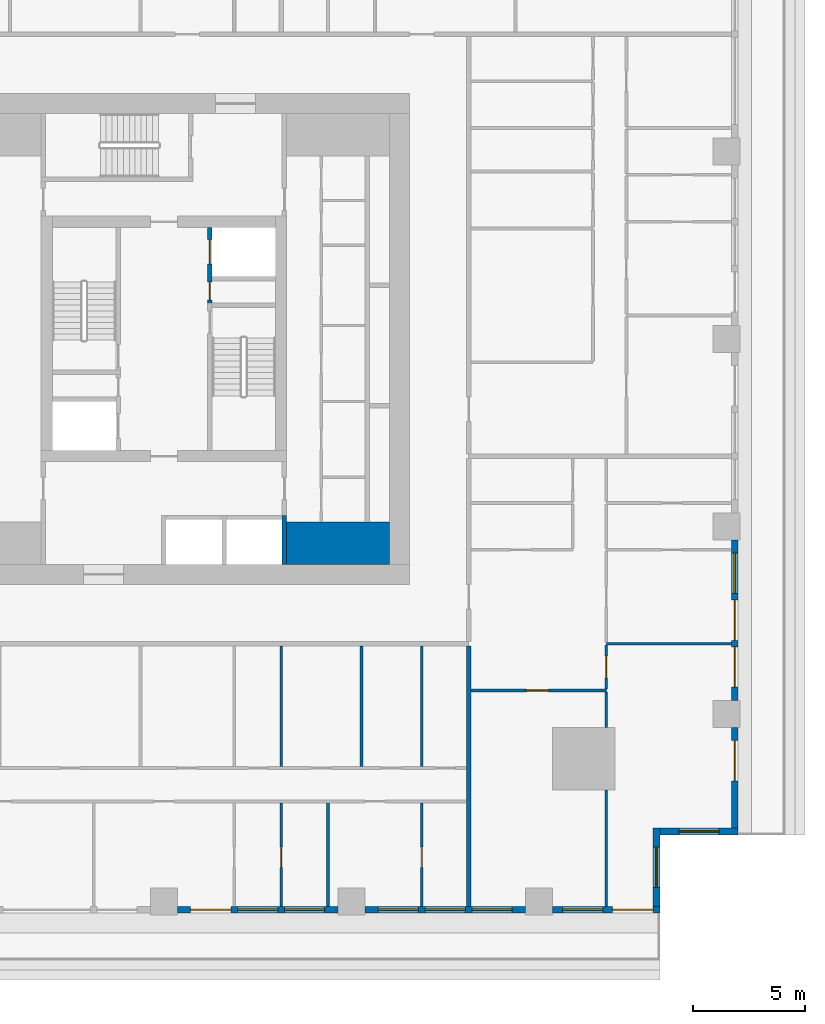
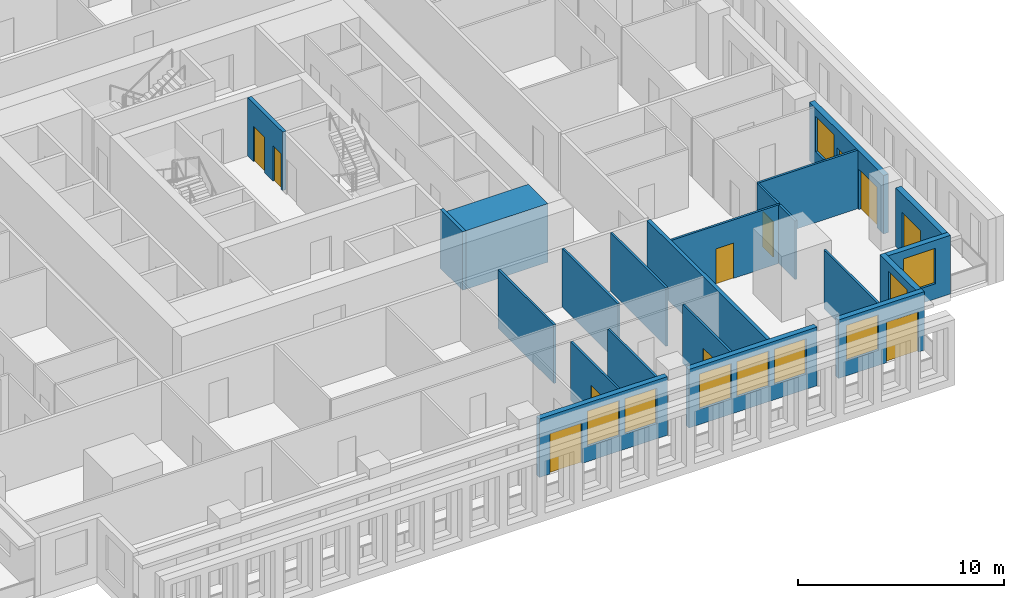
# One storey, part 4 of 14: 22 walls, 11 doors, 9 windows, 20 openings.
"""IFC4 building model written with IfcOpenShell, lengths in metres."""

import ifcopenshell
import ifcopenshell.guid

model = None  # the IFC model being written
_history = None  # IfcOwnerHistory: only IFC2X3 demands one
_inside = {}  # id of a spatial element -> (the spatial element, [elements in it])
_under = {}  # id of a project, library or spatial element -> (it, [spatial elements below it])
_declared = {}  # id of a project -> (the project, [libraries it declares])
_typed = {}  # id of a type object -> (the type object, [elements of that type])
_made_of = {}  # id of a material, layer set ... -> (it, [elements and type objects made of it])


def new_model(schema):
    """Start an empty IFC model of exactly this schema.

    Asked for "IFC4X3", IfcOpenShell would pick the latest addendum, in which some entities
    have other attributes; the version numbers below select the first issue.
    IFC2X3 requires an IfcOwnerHistory on every rooted entity: one is made here for all.
    """
    global model, _history
    if schema == "IFC4X3":
        model = ifcopenshell.file(schema_version=(4, 3, 0, 0))
    else:
        model = ifcopenshell.file(schema=schema)
    _inside.clear()
    _under.clear()
    _declared.clear()
    _typed.clear()
    _made_of.clear()
    _history = None
    if model.schema == "IFC2X3":
        org = make("IfcOrganization", Name="unknown")
        user = make(
            "IfcPersonAndOrganization",
            ThePerson=make("IfcPerson", FamilyName="unknown"),
            TheOrganization=org,
        )
        app = make(
            "IfcApplication",
            ApplicationDeveloper=org,
            Version="unknown",
            ApplicationFullName="unknown",
            ApplicationIdentifier="unknown",
        )
        _history = make(
            "IfcOwnerHistory",
            OwningUser=user,
            OwningApplication=app,
            ChangeAction="ADDED",
            CreationDate=0,
        )
    return model


def make(cls, **values):
    """One entity of the class cls with the attributes given. An attribute that is None is left unset."""
    return model.create_entity(
        cls, **{name: value for name, value in values.items() if value is not None}
    )


def rooted(cls, **values):
    """An entity with a GlobalId (a new one), such as an element, a storey or a relation."""
    return make(cls, GlobalId=ifcopenshell.guid.new(), OwnerHistory=_history, **values)


def si_unit(unit_type, name, prefix=None):
    """IfcSIUnit, for example si_unit("LENGTHUNIT", "METRE", prefix="MILLI")."""
    return make("IfcSIUnit", UnitType=unit_type, Prefix=prefix, Name=name)


def assignment(units):
    """IfcUnitAssignment: the units of a project."""
    return None if units is None else make("IfcUnitAssignment", Units=units)


def point(xyz):
    """IfcCartesianPoint."""
    return None if xyz is None else make("IfcCartesianPoint", Coordinates=xyz)


def direction(xyz):
    """IfcDirection."""
    return None if xyz is None else make("IfcDirection", DirectionRatios=xyz)


def frame(location, z_axis=None, x_axis=None):
    """IfcAxis2Placement3D, a coordinate frame: its origin and axes. An axis left out is left unset."""
    return make(
        "IfcAxis2Placement3D",
        Location=point(location),
        Axis=direction(z_axis),
        RefDirection=direction(x_axis),
    )


def frame_2d(location, x_axis=None):
    """IfcAxis2Placement2D, a coordinate frame in the plane: its origin and x axis."""
    return make(
        "IfcAxis2Placement2D", Location=point(location), RefDirection=direction(x_axis)
    )


def origin():
    """The frame at (0, 0, 0) with its axes left unset."""
    return frame((0.0, 0.0, 0.0))


def place(relative_to, where):
    """IfcLocalPlacement: puts the frame where relative to a parent placement (None: the world)."""
    return make(
        "IfcLocalPlacement", PlacementRelTo=relative_to, RelativePlacement=where
    )


def context(
    kind, dimensions, precision=None, world=None, true_north=None, identifier=None
):
    """IfcGeometricRepresentationContext, for example the 3D "Model" context."""
    return make(
        "IfcGeometricRepresentationContext",
        ContextIdentifier=identifier,
        ContextType=kind,
        CoordinateSpaceDimension=dimensions,
        Precision=precision,
        WorldCoordinateSystem=world,
        TrueNorth=true_north,
    )


def subcontext(parent, identifier, kind, view, scale=None):
    """IfcGeometricRepresentationSubContext, for example "Body" below "Model"."""
    return make(
        "IfcGeometricRepresentationSubContext",
        ContextIdentifier=identifier,
        ContextType=kind,
        ParentContext=parent,
        TargetScale=scale,
        TargetView=view,
    )


def project(units=None, contexts=None):
    """IfcProject with its units and contexts."""
    return rooted(
        "IfcProject",
        Name="project",
        RepresentationContexts=contexts,
        UnitsInContext=assignment(units),
    )


def spatial(cls, under=None, at=None, **own):
    """A site, building, storey or space (cls), placed at a placement, below another one or the project."""
    s = rooted(cls, ObjectPlacement=at, **own)
    if under is not None:
        _under.setdefault(under.id(), (under, []))[1].append(s)
    return s


def profile(cls, at=None, kind="AREA", **sizes):
    """A parametric profile (cls). Its sizes go by their IFC names, for example OverallWidth=200.0."""
    return make(cls, ProfileType=kind, Position=at, **sizes)


def rectangle(**sizes):
    """IfcRectangleProfileDef."""
    return profile("IfcRectangleProfileDef", **sizes)


def extrude(swept, where, along, depth):
    """IfcExtrudedAreaSolid: the profile swept, set in the frame where, extruded along a direction by depth."""
    return make(
        "IfcExtrudedAreaSolid",
        SweptArea=swept,
        Position=where,
        ExtrudedDirection=direction(along),
        Depth=depth,
    )


def shape(context_of_items, identifier, shape_type, items):
    """IfcShapeRepresentation: the items that make up one representation, for example the "Body"."""
    return make(
        "IfcShapeRepresentation",
        ContextOfItems=context_of_items,
        RepresentationIdentifier=identifier,
        RepresentationType=shape_type,
        Items=items,
    )


def material(Name=None, Category=None):
    """IfcMaterial."""
    return make("IfcMaterial", Name=Name, Category=Category)


def layer(
    of_material, thickness, ventilated=None, Name=None, Category=None, Priority=None
):
    """IfcMaterialLayer: one layer of a wall or slab, of a material (None: an air gap)."""
    return make(
        "IfcMaterialLayer",
        Material=of_material,
        LayerThickness=thickness,
        IsVentilated=ventilated,
        Name=Name,
        Category=Category,
        Priority=Priority,
    )


def layer_set(layers, Name=None):
    """IfcMaterialLayerSet."""
    return make("IfcMaterialLayerSet", MaterialLayers=layers, LayerSetName=Name)


def made_of(thing, what):
    """Note that an element or type object is made of a material, layer set ...; save() writes the relation."""
    if what is not None:
        _made_of.setdefault(what.id(), (what, []))[1].append(thing)
    return thing


def type_object(cls, material=None, **own):
    """A type object (cls), such as IfcWallType, which elements share."""
    return made_of(rooted(cls, **own), material)


def element(
    cls,
    number,
    at=None,
    inside=None,
    cuts=None,
    type_object=None,
    material=None,
    context=None,
    identifier="Body",
    shape_type=None,
    held_by="IfcProductDefinitionShape",
    body=None,
    shapes=None,
    **own,
):
    """One element of the class cls, such as IfcWall. Its Tag is "e" and its number.

    at: its placement. inside: the storey or other place that contains it. cuts: it is an
    opening in that element (IfcRelVoidsElement). A single representation is given by context,
    identifier, shape_type and body (its items); several are given by shapes. held_by: the class
    of the entity that holds the representations. save() writes the other relations.
    """
    e = rooted(cls, Tag="e%d" % number, ObjectPlacement=at, **own)
    if body is not None:
        shapes = [shape(context, identifier, shape_type, body)]
    if shapes is not None:
        e.Representation = make(held_by, Representations=shapes)
    if inside is not None:
        _inside.setdefault(inside.id(), (inside, []))[1].append(e)
    if cuts is not None:
        rooted(
            "IfcRelVoidsElement", RelatingBuildingElement=cuts, RelatedOpeningElement=e
        )
    if type_object is not None:
        _typed.setdefault(type_object.id(), (type_object, []))[1].append(e)
    return made_of(e, material)


def fill(opening, filler):
    """IfcRelFillsElement: the door or window that sits in an opening."""
    return rooted(
        "IfcRelFillsElement",
        RelatingOpeningElement=opening,
        RelatedBuildingElement=filler,
    )


def aggregate(whole, parts):
    """IfcRelAggregates: a whole, such as a stair, and the parts it consists of."""
    return rooted("IfcRelAggregates", RelatingObject=whole, RelatedObjects=parts)


def save(model, path):
    """Write the relations noted so far, then the file.

    IfcRelAggregates (storeys below a building ...), IfcRelContainedInSpatialStructure (elements
    in a storey), IfcRelDefinesByType, IfcRelAssociatesMaterial and IfcRelDeclares: one each for
    every whole, place, type object, material and project.
    """
    for whole, parts in _under.values():
        aggregate(whole, parts)
    for where, things in _inside.values():
        rooted(
            "IfcRelContainedInSpatialStructure",
            RelatedElements=things,
            RelatingStructure=where,
        )
    for kind, things in _typed.values():
        rooted("IfcRelDefinesByType", RelatedObjects=things, RelatingType=kind)
    for what, things in _made_of.values():
        rooted("IfcRelAssociatesMaterial", RelatedObjects=things, RelatingMaterial=what)
    for by, libraries in _declared.values():
        rooted("IfcRelDeclares", RelatingContext=by, RelatedDefinitions=libraries)
    model.write(path)


model = new_model("IFC4")

# Units and contexts
model_context = context("Model", 3, precision=1e-05, world=origin(), true_north=direction((0.0, 1.0)))
body_context = subcontext(model_context, "Body", "Model", "MODEL_VIEW")
ifc_project = project(units=[si_unit("LENGTHUNIT", "METRE"), si_unit("AREAUNIT", "SQUARE_METRE"), si_unit("VOLUMEUNIT", "CUBIC_METRE"), si_unit("PLANEANGLEUNIT", "RADIAN"), si_unit("MASSUNIT", "GRAM", prefix="KILO")], contexts=[model_context])

# Site, building, storey
site_placement = place(None, origin())
site = spatial("IfcSite", under=ifc_project, at=site_placement, CompositionType="ELEMENT")
building_placement = place(site_placement, origin())
building = spatial("IfcBuilding", under=site, at=building_placement, Name="Khepri Terraces", CompositionType="ELEMENT")
storey_placement = place(building_placement, frame((0.0, 0.0, 102.60009765625)))
storey = spatial("IfcBuildingStorey", under=building, at=storey_placement, Name="L24", CompositionType="ELEMENT", Elevation=102.60009765625)

# Walls
ifc_material_1 = material(Name="Concrete C70/85", Category="concrete")
ifc_layer_1 = layer(ifc_material_1, 1.89990234375, Name="Concrete C70/85", Category="concrete")
ifc_layer_set_1 = layer_set([ifc_layer_1], Name="Concrete C70/85")
wall_type_1 = type_object("IfcWallType", Name="Core wall 1900 C70/85", PredefinedType="SHEAR", material=ifc_layer_set_1)
wall_1_placement = place(storey_placement, frame((5.5, -9.14990234375, 0.0), z_axis=(0.0, 0.0, 1.0), x_axis=(1.0, 0.0, 0.0)))
element("IfcWall", 1, at=wall_1_placement, inside=storey, type_object=wall_type_1, Name="Core wall PR02 L24", PredefinedType="SHEAR", context=body_context, shape_type="SweptSolid", body=[
    extrude(rectangle(XDim=4.60009765625, YDim=1.89990234375, at=frame_2d((2.300048828125, 0.0))), origin(), (0.0, 0.0, 1.0), 3.47998046875),
])
ifc_layer_2 = layer(ifc_material_1, 0.199951171875, Name="Concrete C70/85", Category="concrete")
ifc_layer_set_2 = layer_set([ifc_layer_2], Name="Concrete C70/85")
wall_type_2 = type_object("IfcWallType", Name="Core wall 200 C70/85", PredefinedType="SHEAR", material=ifc_layer_set_2)
wall_2_placement = place(storey_placement, frame((5.39990234375, -10.10009765625, 0.0), z_axis=(0.0, 0.0, 1.0), x_axis=(0.0, 1.0, 0.0)))
element("IfcWall", 2, at=wall_2_placement, inside=storey, type_object=wall_type_2, Name="Core wall SH03 L24", PredefinedType="SHEAR", context=body_context, shape_type="SweptSolid", body=[
    extrude(rectangle(XDim=2.2001953125, YDim=0.199951171875, at=frame_2d((1.10009765625, 0.0))), origin(), (0.0, 0.0, 1.0), 3.47998046875),
])

# Wall, openings, doors
wall_3_placement = place(storey_placement, frame((2.050048828125, 1.60009765625, 0.0), z_axis=(0.0, 0.0, 1.0), x_axis=(0.0, 1.0, 0.0)))
wall_3 = element("IfcWall", 3, at=wall_3_placement, inside=storey, type_object=wall_type_2, Name="Core wall SH15 L24", PredefinedType="SHEAR", context=body_context, shape_type="SweptSolid", body=[
    extrude(rectangle(XDim=3.39990234375, YDim=0.199951171875, at=frame_2d((1.699951171875, 0.0))), origin(), (0.0, 0.0, 1.0), 3.47998046875),
])
opening_1_placement = place(wall_3_placement, frame((1.75, 0.0, 0.0)))
opening_1 = element("IfcOpeningElement", 4, at=opening_1_placement, cuts=wall_3, Name="Opening L24-C07", PredefinedType="OPENING", context=body_context, shape_type="SweptSolid", body=[
    extrude(rectangle(XDim=1.10009765625, YDim=2.10009765625, at=frame_2d((0.550048828125, 1.050048828125))), frame((0.0, 0.10986328125, 0.0), z_axis=(0.0, -1.0, 0.0), x_axis=(1.0, 0.0, 0.0)), (0.0, 0.0, 1.0), 0.219970703125),
])
opening_2_placement = place(wall_3_placement, frame((0.14990234375, 0.0, 0.0)))
opening_2 = element("IfcOpeningElement", 5, at=opening_2_placement, cuts=wall_3, Name="Opening L24-C11", PredefinedType="OPENING", context=body_context, shape_type="SweptSolid", body=[
    extrude(rectangle(XDim=0.800048828125, YDim=2.10009765625, at=frame_2d((0.39990234375, 1.050048828125))), frame((0.0, 0.10986328125, 0.0), z_axis=(0.0, -1.0, 0.0), x_axis=(1.0, 0.0, 0.0)), (0.0, 0.0, 1.0), 0.219970703125),
])
ifc_material_2 = material(Name="Stainless steel 304", Category="steel")
door_type_1 = type_object("IfcDoorType", Name="DR-CORE-FF-LANDING-1100", OperationType="NOTDEFINED", PredefinedType="DOOR", material=ifc_material_2)
door_1_placement = place(opening_1_placement, origin())
door_1 = element("IfcDoor", 6, at=door_1_placement, inside=storey, type_object=door_type_1, Name="Firefighting lift landing door L24-C07", OperationType="SLIDING_TO_LEFT", OverallHeight=2.10009765625, OverallWidth=1.10009765625, PredefinedType="DOOR", context=body_context, shape_type="SweptSolid", body=[
    extrude(rectangle(XDim=1.10009765625, YDim=2.10009765625, at=frame_2d((0.550048828125, 1.050048828125))), frame((0.0, 0.02490234375, 0.0), z_axis=(0.0, -1.0, 0.0), x_axis=(1.0, 0.0, 0.0)), (0.0, 0.0, 1.0), 0.050048828125),
])
fill(opening_1, door_1)
ifc_material_3 = material(Name="Painted steel", Category="steel")
door_type_2 = type_object("IfcDoorType", Name="DR-CORE-RISER-800", OperationType="NOTDEFINED", PredefinedType="DOOR", material=ifc_material_3)
door_2_placement = place(opening_2_placement, frame((0.800048828125, 0.0, 0.0), z_axis=(0.0, 0.0, 1.0), x_axis=(-1.0, 0.0, 0.0)))
door_2 = element("IfcDoor", 7, at=door_2_placement, inside=storey, type_object=door_type_2, Name="Riser door L24-C11", OperationType="SINGLE_SWING_RIGHT", OverallHeight=2.10009765625, OverallWidth=0.800048828125, PredefinedType="DOOR", context=body_context, shape_type="SweptSolid", body=[
    extrude(rectangle(XDim=0.800048828125, YDim=2.10009765625, at=frame_2d((0.39990234375, 1.050048828125))), frame((0.0, 0.02490234375, 0.0), z_axis=(0.0, -1.0, 0.0), x_axis=(1.0, 0.0, 0.0)), (0.0, 0.0, 1.0), 0.050048828125),
])
fill(opening_2, door_2)

# Wall
ifc_material_4 = material(Name="Fire-rated gypsum plasterboard partition, mineral wool")
ifc_layer_3 = layer(ifc_material_4, 0.199951171875, Name="Fire-rated gypsum plasterboard partition, mineral wool")
ifc_layer_set_3 = layer_set([ifc_layer_3], Name="Fire-rated gypsum plasterboard partition, mineral wool")
wall_type_3 = type_object("IfcWallType", Name="WL-CORR-200", PredefinedType="PARTITIONING", material=ifc_layer_set_3)
wall_4_placement = place(storey_placement, frame((13.64990234375, -25.419921875, 0.0), z_axis=(0.0, 0.0, 1.0), x_axis=(0.0, 1.0, 0.0)))
element("IfcWall", 8, at=wall_4_placement, inside=storey, type_object=wall_type_3, Name="Partition P-007 L24", PredefinedType="PARTITIONING", context=body_context, shape_type="SweptSolid", body=[
    extrude(rectangle(XDim=11.669921875, YDim=0.199951171875, at=frame_2d((5.8349609375, 0.0))), origin(), (0.0, 0.0, 1.0), 3.47998046875),
])

# Wall, opening, window
ifc_material_5 = material(Name="Precast concrete C50/60 warm stone", Category="masonry")
ifc_layer_4 = layer(ifc_material_5, 0.300048828125, Name="Precast concrete C50/60 warm stone", Category="masonry")
ifc_layer_set_4 = layer_set([ifc_layer_4], Name="Precast concrete C50/60 warm stone")
wall_type_4 = type_object("IfcWallType", Name="WL-EXT-PRECAST-300", PredefinedType="STANDARD", material=ifc_layer_set_4)
wall_5_placement = place(storey_placement, frame((22.219970703125, -22.070068359375, 0.0), z_axis=(0.0, 0.0, 1.0), x_axis=(1.0, 0.0, 0.0)))
wall_5 = element("IfcWall", 9, at=wall_5_placement, inside=storey, type_object=wall_type_4, Name="External wall L24 S", PredefinedType="STANDARD", context=body_context, shape_type="SweptSolid", body=[
    extrude(rectangle(XDim=3.5, YDim=0.300048828125, at=frame_2d((1.75, 0.0))), origin(), (0.0, 0.0, 1.0), 3.47998046875),
])
opening_3_placement = place(wall_5_placement, frame((0.85009765625, 0.0, 0.89990234375)))
opening_3 = element("IfcOpeningElement", 10, at=opening_3_placement, cuts=wall_5, Name="Opening W1", PredefinedType="OPENING", context=body_context, shape_type="SweptSolid", body=[
    extrude(rectangle(XDim=1.800048828125, YDim=2.10009765625, at=frame_2d((0.89990234375, 1.050048828125))), frame((0.0, 0.16015625, 0.0), z_axis=(0.0, -1.0, 0.0), x_axis=(1.0, 0.0, 0.0)), (0.0, 0.0, 1.0), 0.320068359375),
])
ifc_material_6 = material(Name="Clear glass", Category="glass")
window_type = type_object("IfcWindowType", Name="WIN-RES-1800x2100", PartitioningType="SINGLE_PANEL", PredefinedType="WINDOW", material=ifc_material_6)
window_1_placement = place(opening_3_placement, origin())
window_1 = element("IfcWindow", 11, at=window_1_placement, inside=storey, type_object=window_type, Name="Window L24 S", OverallHeight=2.10009765625, OverallWidth=1.800048828125, PartitioningType="SINGLE_PANEL", PredefinedType="WINDOW", context=body_context, shape_type="SweptSolid", body=[
    extrude(rectangle(XDim=1.800048828125, YDim=2.10009765625, at=frame_2d((0.89990234375, 1.050048828125))), frame((0.0, 0.030029296875, 0.0), z_axis=(0.0, -1.0, 0.0), x_axis=(1.0, 0.0, 0.0)), (0.0, 0.0, 1.0), 0.06005859375),
])
fill(opening_3, window_1)

# Wall, opening, door
wall_6_placement = place(storey_placement, frame((25.570068359375, -21.919921875, 0.0), z_axis=(0.0, 0.0, 1.0), x_axis=(0.0, 1.0, 0.0)))
wall_6 = element("IfcWall", 12, at=wall_6_placement, inside=storey, type_object=wall_type_4, Name="External wall L24 E", PredefinedType="STANDARD", context=body_context, shape_type="SweptSolid", body=[
    extrude(rectangle(XDim=4.52001953125, YDim=0.300048828125, at=frame_2d((2.260009765625, 0.0))), origin(), (0.0, 0.0, 1.0), 3.47998046875),
])
opening_4_placement = place(wall_6_placement, frame((2.1201171875, 0.0, 0.0)))
opening_4 = element("IfcOpeningElement", 13, at=opening_4_placement, cuts=wall_6, Name="Opening ED-L24-01", PredefinedType="OPENING", context=body_context, shape_type="SweptSolid", body=[
    extrude(rectangle(XDim=1.800048828125, YDim=2.39990234375, at=frame_2d((0.89990234375, 1.199951171875))), frame((0.0, 0.16015625, 0.0), z_axis=(0.0, -1.0, 0.0), x_axis=(1.0, 0.0, 0.0)), (0.0, 0.0, 1.0), 0.320068359375),
])
ifc_material_7 = material(Name="Anodised aluminium bronze glazed door", Category="aluminium")
door_type_3 = type_object("IfcDoorType", Name="DR-BAL-SLIDE-1800x2400", OperationType="NOTDEFINED", PredefinedType="DOOR", material=ifc_material_7)
door_3_placement = place(opening_4_placement, origin())
door_3 = element("IfcDoor", 14, at=door_3_placement, inside=storey, type_object=door_type_3, Name="Balcony door L24 E", OperationType="SLIDING_TO_RIGHT", OverallHeight=2.39990234375, OverallWidth=1.800048828125, PredefinedType="DOOR", context=body_context, shape_type="SweptSolid", body=[
    extrude(rectangle(XDim=1.800048828125, YDim=2.39990234375, at=frame_2d((0.89990234375, 1.199951171875))), frame((0.0, 0.02490234375, 0.0), z_axis=(0.0, -1.0, 0.0), x_axis=(1.0, 0.0, 0.0)), (0.0, 0.0, 1.0), 0.050048828125),
])
fill(opening_4, door_3)

# Wall, openings, doors, window
wall_7_placement = place(storey_placement, frame((25.570068359375, -16.199951171875, 0.0), z_axis=(0.0, 0.0, 1.0), x_axis=(0.0, 1.0, 0.0)))
wall_7 = element("IfcWall", 15, at=wall_7_placement, inside=storey, type_object=wall_type_4, Name="External wall L24 E", PredefinedType="STANDARD", context=body_context, shape_type="SweptSolid", body=[
    extrude(rectangle(XDim=7.199951171875, YDim=0.300048828125, at=frame_2d((3.60009765625, 0.0))), origin(), (0.0, 0.0, 1.0), 3.47998046875),
])
opening_5_placement = place(wall_7_placement, frame((0.60009765625, 0.0, 0.0)))
opening_5 = element("IfcOpeningElement", 16, at=opening_5_placement, cuts=wall_7, Name="Opening ED-L24-02", PredefinedType="OPENING", context=body_context, shape_type="SweptSolid", body=[
    extrude(rectangle(XDim=1.800048828125, YDim=2.39990234375, at=frame_2d((0.89990234375, 1.199951171875))), frame((0.0, 0.16015625, 0.0), z_axis=(0.0, -1.0, 0.0), x_axis=(1.0, 0.0, 0.0)), (0.0, 0.0, 1.0), 0.320068359375),
])
opening_6_placement = place(wall_7_placement, frame((2.699951171875, 0.0, 0.0)))
opening_6 = element("IfcOpeningElement", 17, at=opening_6_placement, cuts=wall_7, Name="Opening ED-L24-03", PredefinedType="OPENING", context=body_context, shape_type="SweptSolid", body=[
    extrude(rectangle(XDim=1.800048828125, YDim=2.39990234375, at=frame_2d((0.89990234375, 1.199951171875))), frame((0.0, 0.16015625, 0.0), z_axis=(0.0, -1.0, 0.0), x_axis=(1.0, 0.0, 0.0)), (0.0, 0.0, 1.0), 0.320068359375),
])
opening_7_placement = place(wall_7_placement, frame((4.800048828125, 0.0, 0.89990234375)))
opening_7 = element("IfcOpeningElement", 18, at=opening_7_placement, cuts=wall_7, Name="Opening W1", PredefinedType="OPENING", context=body_context, shape_type="SweptSolid", body=[
    extrude(rectangle(XDim=1.800048828125, YDim=2.10009765625, at=frame_2d((0.89990234375, 1.050048828125))), frame((0.0, 0.16015625, 0.0), z_axis=(0.0, -1.0, 0.0), x_axis=(1.0, 0.0, 0.0)), (0.0, 0.0, 1.0), 0.320068359375),
])
door_4_placement = place(opening_5_placement, origin())
door_4 = element("IfcDoor", 19, at=door_4_placement, inside=storey, type_object=door_type_3, Name="Balcony door L24 E", OperationType="SLIDING_TO_LEFT", OverallHeight=2.39990234375, OverallWidth=1.800048828125, PredefinedType="DOOR", context=body_context, shape_type="SweptSolid", body=[
    extrude(rectangle(XDim=1.800048828125, YDim=2.39990234375, at=frame_2d((0.89990234375, 1.199951171875))), frame((0.0, 0.02490234375, 0.0), z_axis=(0.0, -1.0, 0.0), x_axis=(1.0, 0.0, 0.0)), (0.0, 0.0, 1.0), 0.050048828125),
])
fill(opening_5, door_4)
door_5_placement = place(opening_6_placement, origin())
door_5 = element("IfcDoor", 20, at=door_5_placement, inside=storey, type_object=door_type_3, Name="Balcony door L24 E", OperationType="SLIDING_TO_RIGHT", OverallHeight=2.39990234375, OverallWidth=1.800048828125, PredefinedType="DOOR", context=body_context, shape_type="SweptSolid", body=[
    extrude(rectangle(XDim=1.800048828125, YDim=2.39990234375, at=frame_2d((0.89990234375, 1.199951171875))), frame((0.0, 0.02490234375, 0.0), z_axis=(0.0, -1.0, 0.0), x_axis=(1.0, 0.0, 0.0)), (0.0, 0.0, 1.0), 0.050048828125),
])
fill(opening_6, door_5)
window_2_placement = place(opening_7_placement, origin())
window_2 = element("IfcWindow", 21, at=window_2_placement, inside=storey, type_object=window_type, Name="Window L24 E", OverallHeight=2.10009765625, OverallWidth=1.800048828125, PartitioningType="SINGLE_PANEL", PredefinedType="WINDOW", context=body_context, shape_type="SweptSolid", body=[
    extrude(rectangle(XDim=1.800048828125, YDim=2.10009765625, at=frame_2d((0.89990234375, 1.050048828125))), frame((0.0, 0.030029296875, 0.0), z_axis=(0.0, -1.0, 0.0), x_axis=(1.0, 0.0, 0.0)), (0.0, 0.0, 1.0), 0.06005859375),
])
fill(opening_7, window_2)

# Wall, openings, door, windows
wall_8_placement = place(storey_placement, frame((0.60009765625, -25.570068359375, 0.0), z_axis=(0.0, 0.0, 1.0), x_axis=(1.0, 0.0, 0.0)))
wall_8 = element("IfcWall", 22, at=wall_8_placement, inside=storey, type_object=wall_type_4, Name="External wall L24 S", PredefinedType="STANDARD", context=body_context, shape_type="SweptSolid", body=[
    extrude(rectangle(XDim=7.199951171875, YDim=0.300048828125, at=frame_2d((3.60009765625, 0.0))), origin(), (0.0, 0.0, 1.0), 3.47998046875),
])
opening_8_placement = place(wall_8_placement, frame((0.60009765625, 0.0, 0.0)))
opening_8 = element("IfcOpeningElement", 23, at=opening_8_placement, cuts=wall_8, Name="Opening ED-L24-24", PredefinedType="OPENING", context=body_context, shape_type="SweptSolid", body=[
    extrude(rectangle(XDim=1.800048828125, YDim=2.39990234375, at=frame_2d((0.89990234375, 1.199951171875))), frame((0.0, 0.16015625, 0.0), z_axis=(0.0, -1.0, 0.0), x_axis=(1.0, 0.0, 0.0)), (0.0, 0.0, 1.0), 0.320068359375),
])
opening_9_placement = place(wall_8_placement, frame((2.699951171875, 0.0, 0.89990234375)))
opening_9 = element("IfcOpeningElement", 24, at=opening_9_placement, cuts=wall_8, Name="Opening W1", PredefinedType="OPENING", context=body_context, shape_type="SweptSolid", body=[
    extrude(rectangle(XDim=1.800048828125, YDim=2.10009765625, at=frame_2d((0.89990234375, 1.050048828125))), frame((0.0, 0.16015625, 0.0), z_axis=(0.0, -1.0, 0.0), x_axis=(1.0, 0.0, 0.0)), (0.0, 0.0, 1.0), 0.320068359375),
])
opening_10_placement = place(wall_8_placement, frame((4.800048828125, 0.0, 0.89990234375)))
opening_10 = element("IfcOpeningElement", 25, at=opening_10_placement, cuts=wall_8, Name="Opening W1", PredefinedType="OPENING", context=body_context, shape_type="SweptSolid", body=[
    extrude(rectangle(XDim=1.800048828125, YDim=2.10009765625, at=frame_2d((0.89990234375, 1.050048828125))), frame((0.0, 0.16015625, 0.0), z_axis=(0.0, -1.0, 0.0), x_axis=(1.0, 0.0, 0.0)), (0.0, 0.0, 1.0), 0.320068359375),
])
door_6_placement = place(opening_8_placement, origin())
door_6 = element("IfcDoor", 26, at=door_6_placement, inside=storey, type_object=door_type_3, Name="Balcony door L24 S", OperationType="SLIDING_TO_LEFT", OverallHeight=2.39990234375, OverallWidth=1.800048828125, PredefinedType="DOOR", context=body_context, shape_type="SweptSolid", body=[
    extrude(rectangle(XDim=1.800048828125, YDim=2.39990234375, at=frame_2d((0.89990234375, 1.199951171875))), frame((0.0, 0.02490234375, 0.0), z_axis=(0.0, -1.0, 0.0), x_axis=(1.0, 0.0, 0.0)), (0.0, 0.0, 1.0), 0.050048828125),
])
fill(opening_8, door_6)
window_3_placement = place(opening_9_placement, origin())
window_3 = element("IfcWindow", 27, at=window_3_placement, inside=storey, type_object=window_type, Name="Window L24 S", OverallHeight=2.10009765625, OverallWidth=1.800048828125, PartitioningType="SINGLE_PANEL", PredefinedType="WINDOW", context=body_context, shape_type="SweptSolid", body=[
    extrude(rectangle(XDim=1.800048828125, YDim=2.10009765625, at=frame_2d((0.89990234375, 1.050048828125))), frame((0.0, 0.030029296875, 0.0), z_axis=(0.0, -1.0, 0.0), x_axis=(1.0, 0.0, 0.0)), (0.0, 0.0, 1.0), 0.06005859375),
])
fill(opening_9, window_3)
window_4_placement = place(opening_10_placement, origin())
window_4 = element("IfcWindow", 28, at=window_4_placement, inside=storey, type_object=window_type, Name="Window L24 S", OverallHeight=2.10009765625, OverallWidth=1.800048828125, PartitioningType="SINGLE_PANEL", PredefinedType="WINDOW", context=body_context, shape_type="SweptSolid", body=[
    extrude(rectangle(XDim=1.800048828125, YDim=2.10009765625, at=frame_2d((0.89990234375, 1.050048828125))), frame((0.0, 0.030029296875, 0.0), z_axis=(0.0, -1.0, 0.0), x_axis=(1.0, 0.0, 0.0)), (0.0, 0.0, 1.0), 0.06005859375),
])
fill(opening_10, window_4)

# Wall, openings, windows
wall_9_placement = place(storey_placement, frame((9.0, -25.570068359375, 0.0), z_axis=(0.0, 0.0, 1.0), x_axis=(1.0, 0.0, 0.0)))
wall_9 = element("IfcWall", 29, at=wall_9_placement, inside=storey, type_object=wall_type_4, Name="External wall L24 S", PredefinedType="STANDARD", context=body_context, shape_type="SweptSolid", body=[
    extrude(rectangle(XDim=7.199951171875, YDim=0.300048828125, at=frame_2d((3.60009765625, 0.0))), origin(), (0.0, 0.0, 1.0), 3.47998046875),
])
opening_11_placement = place(wall_9_placement, frame((0.60009765625, 0.0, 0.89990234375)))
opening_11 = element("IfcOpeningElement", 30, at=opening_11_placement, cuts=wall_9, Name="Opening W1", PredefinedType="OPENING", context=body_context, shape_type="SweptSolid", body=[
    extrude(rectangle(XDim=1.800048828125, YDim=2.10009765625, at=frame_2d((0.89990234375, 1.050048828125))), frame((0.0, 0.16015625, 0.0), z_axis=(0.0, -1.0, 0.0), x_axis=(1.0, 0.0, 0.0)), (0.0, 0.0, 1.0), 0.320068359375),
])
opening_12_placement = place(wall_9_placement, frame((2.699951171875, 0.0, 0.89990234375)))
opening_12 = element("IfcOpeningElement", 31, at=opening_12_placement, cuts=wall_9, Name="Opening W1", PredefinedType="OPENING", context=body_context, shape_type="SweptSolid", body=[
    extrude(rectangle(XDim=1.800048828125, YDim=2.10009765625, at=frame_2d((0.89990234375, 1.050048828125))), frame((0.0, 0.16015625, 0.0), z_axis=(0.0, -1.0, 0.0), x_axis=(1.0, 0.0, 0.0)), (0.0, 0.0, 1.0), 0.320068359375),
])
opening_13_placement = place(wall_9_placement, frame((4.800048828125, 0.0, 0.89990234375)))
opening_13 = element("IfcOpeningElement", 32, at=opening_13_placement, cuts=wall_9, Name="Opening W1", PredefinedType="OPENING", context=body_context, shape_type="SweptSolid", body=[
    extrude(rectangle(XDim=1.800048828125, YDim=2.10009765625, at=frame_2d((0.89990234375, 1.050048828125))), frame((0.0, 0.16015625, 0.0), z_axis=(0.0, -1.0, 0.0), x_axis=(1.0, 0.0, 0.0)), (0.0, 0.0, 1.0), 0.320068359375),
])
window_5_placement = place(opening_11_placement, origin())
window_5 = element("IfcWindow", 33, at=window_5_placement, inside=storey, type_object=window_type, Name="Window L24 S", OverallHeight=2.10009765625, OverallWidth=1.800048828125, PartitioningType="SINGLE_PANEL", PredefinedType="WINDOW", context=body_context, shape_type="SweptSolid", body=[
    extrude(rectangle(XDim=1.800048828125, YDim=2.10009765625, at=frame_2d((0.89990234375, 1.050048828125))), frame((0.0, 0.030029296875, 0.0), z_axis=(0.0, -1.0, 0.0), x_axis=(1.0, 0.0, 0.0)), (0.0, 0.0, 1.0), 0.06005859375),
])
fill(opening_11, window_5)
window_6_placement = place(opening_12_placement, origin())
window_6 = element("IfcWindow", 34, at=window_6_placement, inside=storey, type_object=window_type, Name="Window L24 S", OverallHeight=2.10009765625, OverallWidth=1.800048828125, PartitioningType="SINGLE_PANEL", PredefinedType="WINDOW", context=body_context, shape_type="SweptSolid", body=[
    extrude(rectangle(XDim=1.800048828125, YDim=2.10009765625, at=frame_2d((0.89990234375, 1.050048828125))), frame((0.0, 0.030029296875, 0.0), z_axis=(0.0, -1.0, 0.0), x_axis=(1.0, 0.0, 0.0)), (0.0, 0.0, 1.0), 0.06005859375),
])
fill(opening_12, window_6)
window_7_placement = place(opening_13_placement, origin())
window_7 = element("IfcWindow", 35, at=window_7_placement, inside=storey, type_object=window_type, Name="Window L24 S", OverallHeight=2.10009765625, OverallWidth=1.800048828125, PartitioningType="SINGLE_PANEL", PredefinedType="WINDOW", context=body_context, shape_type="SweptSolid", body=[
    extrude(rectangle(XDim=1.800048828125, YDim=2.10009765625, at=frame_2d((0.89990234375, 1.050048828125))), frame((0.0, 0.030029296875, 0.0), z_axis=(0.0, -1.0, 0.0), x_axis=(1.0, 0.0, 0.0)), (0.0, 0.0, 1.0), 0.06005859375),
])
fill(opening_13, window_7)

# Wall, openings, door, window
wall_10_placement = place(storey_placement, frame((17.39990234375, -25.570068359375, 0.0), z_axis=(0.0, 0.0, 1.0), x_axis=(1.0, 0.0, 0.0)))
wall_10 = element("IfcWall", 36, at=wall_10_placement, inside=storey, type_object=wall_type_4, Name="External wall L24 S", PredefinedType="STANDARD", context=body_context, shape_type="SweptSolid", body=[
    extrude(rectangle(XDim=4.820068359375, YDim=0.300048828125, at=frame_2d((2.41015625, 0.0))), origin(), (0.0, 0.0, 1.0), 3.47998046875),
])
opening_14_placement = place(wall_10_placement, frame((2.699951171875, 0.0, 0.0)))
opening_14 = element("IfcOpeningElement", 37, at=opening_14_placement, cuts=wall_10, Name="Opening ED-L24-25", PredefinedType="OPENING", context=body_context, shape_type="SweptSolid", body=[
    extrude(rectangle(XDim=1.800048828125, YDim=2.39990234375, at=frame_2d((0.89990234375, 1.199951171875))), frame((0.0, 0.16015625, 0.0), z_axis=(0.0, -1.0, 0.0), x_axis=(1.0, 0.0, 0.0)), (0.0, 0.0, 1.0), 0.320068359375),
])
opening_15_placement = place(wall_10_placement, frame((0.4599609375, 0.0, 0.89990234375)))
opening_15 = element("IfcOpeningElement", 38, at=opening_15_placement, cuts=wall_10, Name="Opening W1", PredefinedType="OPENING", context=body_context, shape_type="SweptSolid", body=[
    extrude(rectangle(XDim=1.800048828125, YDim=2.10009765625, at=frame_2d((0.89990234375, 1.050048828125))), frame((0.0, 0.16015625, 0.0), z_axis=(0.0, -1.0, 0.0), x_axis=(1.0, 0.0, 0.0)), (0.0, 0.0, 1.0), 0.320068359375),
])
door_7_placement = place(opening_14_placement, origin())
door_7 = element("IfcDoor", 39, at=door_7_placement, inside=storey, type_object=door_type_3, Name="Balcony door L24 S", OperationType="SLIDING_TO_LEFT", OverallHeight=2.39990234375, OverallWidth=1.800048828125, PredefinedType="DOOR", context=body_context, shape_type="SweptSolid", body=[
    extrude(rectangle(XDim=1.800048828125, YDim=2.39990234375, at=frame_2d((0.89990234375, 1.199951171875))), frame((0.0, 0.02490234375, 0.0), z_axis=(0.0, -1.0, 0.0), x_axis=(1.0, 0.0, 0.0)), (0.0, 0.0, 1.0), 0.050048828125),
])
fill(opening_14, door_7)
window_8_placement = place(opening_15_placement, origin())
window_8 = element("IfcWindow", 40, at=window_8_placement, inside=storey, type_object=window_type, Name="Window L24 S", OverallHeight=2.10009765625, OverallWidth=1.800048828125, PartitioningType="SINGLE_PANEL", PredefinedType="WINDOW", context=body_context, shape_type="SweptSolid", body=[
    extrude(rectangle(XDim=1.800048828125, YDim=2.10009765625, at=frame_2d((0.89990234375, 1.050048828125))), frame((0.0, 0.030029296875, 0.0), z_axis=(0.0, -1.0, 0.0), x_axis=(1.0, 0.0, 0.0)), (0.0, 0.0, 1.0), 0.06005859375),
])
fill(opening_15, window_8)

# Wall, opening, window
wall_11_placement = place(storey_placement, frame((22.070068359375, -25.419921875, 0.0), z_axis=(0.0, 0.0, 1.0), x_axis=(0.0, 1.0, 0.0)))
wall_11 = element("IfcWall", 41, at=wall_11_placement, inside=storey, type_object=wall_type_4, Name="External wall L24 E", PredefinedType="STANDARD", context=body_context, shape_type="SweptSolid", body=[
    extrude(rectangle(XDim=3.5, YDim=0.300048828125, at=frame_2d((1.75, 0.0))), origin(), (0.0, 0.0, 1.0), 3.47998046875),
])
opening_16_placement = place(wall_11_placement, frame((0.85009765625, 0.0, 0.89990234375)))
opening_16 = element("IfcOpeningElement", 42, at=opening_16_placement, cuts=wall_11, Name="Opening W1", PredefinedType="OPENING", context=body_context, shape_type="SweptSolid", body=[
    extrude(rectangle(XDim=1.800048828125, YDim=2.10009765625, at=frame_2d((0.89990234375, 1.050048828125))), frame((0.0, 0.16015625, 0.0), z_axis=(0.0, -1.0, 0.0), x_axis=(1.0, 0.0, 0.0)), (0.0, 0.0, 1.0), 0.320068359375),
])
window_9_placement = place(opening_16_placement, origin())
window_9 = element("IfcWindow", 43, at=window_9_placement, inside=storey, type_object=window_type, Name="Window L24 E", OverallHeight=2.10009765625, OverallWidth=1.800048828125, PartitioningType="SINGLE_PANEL", PredefinedType="WINDOW", context=body_context, shape_type="SweptSolid", body=[
    extrude(rectangle(XDim=1.800048828125, YDim=2.10009765625, at=frame_2d((0.89990234375, 1.050048828125))), frame((0.0, 0.030029296875, 0.0), z_axis=(0.0, -1.0, 0.0), x_axis=(1.0, 0.0, 0.0)), (0.0, 0.0, 1.0), 0.06005859375),
])
fill(opening_16, window_9)

# Wall, opening, door
ifc_material_8 = material(Name="Gypsum plasterboard partition")
ifc_layer_5 = layer(ifc_material_8, 0.1201171875, Name="Gypsum plasterboard partition")
ifc_layer_set_5 = layer_set([ifc_layer_5], Name="Gypsum plasterboard partition")
wall_type_5 = type_object("IfcWallType", Name="WL-PART-120", PredefinedType="PARTITIONING", material=ifc_layer_set_5)
wall_12_placement = place(storey_placement, frame((5.25, -25.419921875, 0.0), z_axis=(0.0, 0.0, 1.0), x_axis=(0.0, 1.0, 0.0)))
wall_12 = element("IfcWall", 44, at=wall_12_placement, inside=storey, type_object=wall_type_5, Name="Partition P-004 L24", PredefinedType="PARTITIONING", context=body_context, shape_type="SweptSolid", body=[
    extrude(rectangle(XDim=4.639892578125, YDim=0.1201171875, at=frame_2d((2.31982421875, 0.0))), origin(), (0.0, 0.0, 1.0), 3.47998046875),
])
opening_17_placement = place(wall_12_placement, frame((1.75, 0.0, 0.0)))
opening_17 = element("IfcOpeningElement", 45, at=opening_17_placement, cuts=wall_12, Name="Opening D4", PredefinedType="OPENING", context=body_context, shape_type="SweptSolid", body=[
    extrude(rectangle(XDim=0.89990234375, YDim=2.10009765625, at=frame_2d((0.449951171875, 1.050048828125))), frame((0.0, 0.070068359375, 0.0), z_axis=(0.0, -1.0, 0.0), x_axis=(1.0, 0.0, 0.0)), (0.0, 0.0, 1.0), 0.14013671875),
])
ifc_material_9 = material(Name="Timber door leaf, moisture resistant", Category="wood")
door_type_4 = type_object("IfcDoorType", Name="DR-WET-900", OperationType="NOTDEFINED", PredefinedType="DOOR", material=ifc_material_9)
door_8_placement = place(opening_17_placement, frame((0.89990234375, 0.0, 0.0), z_axis=(0.0, 0.0, 1.0), x_axis=(-1.0, 0.0, 0.0)))
door_8 = element("IfcDoor", 46, at=door_8_placement, inside=storey, type_object=door_type_4, Name="Door Bathroom", OperationType="SINGLE_SWING_RIGHT", OverallHeight=2.10009765625, OverallWidth=0.89990234375, PredefinedType="DOOR", context=body_context, shape_type="SweptSolid", body=[
    extrude(rectangle(XDim=0.89990234375, YDim=2.10009765625, at=frame_2d((0.449951171875, 1.050048828125))), frame((0.0, 0.02490234375, 0.0), z_axis=(0.0, -1.0, 0.0), x_axis=(1.0, 0.0, 0.0)), (0.0, 0.0, 1.0), 0.050048828125),
])
fill(opening_17, door_8)

# Wall
wall_13_placement = place(storey_placement, frame((7.35009765625, -25.419921875, 0.0), z_axis=(0.0, 0.0, 1.0), x_axis=(0.0, 1.0, 0.0)))
element("IfcWall", 47, at=wall_13_placement, inside=storey, type_object=wall_type_5, Name="Partition P-005 L24", PredefinedType="PARTITIONING", context=body_context, shape_type="SweptSolid", body=[
    extrude(rectangle(XDim=4.639892578125, YDim=0.1201171875, at=frame_2d((2.31982421875, 0.0))), origin(), (0.0, 0.0, 1.0), 3.47998046875),
])

# Wall, opening, door
wall_14_placement = place(storey_placement, frame((11.550048828125, -25.419921875, 0.0), z_axis=(0.0, 0.0, 1.0), x_axis=(0.0, 1.0, 0.0)))
wall_14 = element("IfcWall", 48, at=wall_14_placement, inside=storey, type_object=wall_type_5, Name="Partition P-006 L24", PredefinedType="PARTITIONING", context=body_context, shape_type="SweptSolid", body=[
    extrude(rectangle(XDim=4.639892578125, YDim=0.1201171875, at=frame_2d((2.31982421875, 0.0))), origin(), (0.0, 0.0, 1.0), 3.47998046875),
])
opening_18_placement = place(wall_14_placement, frame((1.75, 0.0, 0.0)))
opening_18 = element("IfcOpeningElement", 49, at=opening_18_placement, cuts=wall_14, Name="Opening D4", PredefinedType="OPENING", context=body_context, shape_type="SweptSolid", body=[
    extrude(rectangle(XDim=0.89990234375, YDim=2.10009765625, at=frame_2d((0.449951171875, 1.050048828125))), frame((0.0, 0.070068359375, 0.0), z_axis=(0.0, -1.0, 0.0), x_axis=(1.0, 0.0, 0.0)), (0.0, 0.0, 1.0), 0.14013671875),
])
door_9_placement = place(opening_18_placement, frame((0.89990234375, 0.0, 0.0), z_axis=(0.0, 0.0, 1.0), x_axis=(-1.0, 0.0, 0.0)))
door_9 = element("IfcDoor", 50, at=door_9_placement, inside=storey, type_object=door_type_4, Name="Door Bathroom", OperationType="SINGLE_SWING_RIGHT", OverallHeight=2.10009765625, OverallWidth=0.89990234375, PredefinedType="DOOR", context=body_context, shape_type="SweptSolid", body=[
    extrude(rectangle(XDim=0.89990234375, YDim=2.10009765625, at=frame_2d((0.449951171875, 1.050048828125))), frame((0.0, 0.02490234375, 0.0), z_axis=(0.0, -1.0, 0.0), x_axis=(1.0, 0.0, 0.0)), (0.0, 0.0, 1.0), 0.050048828125),
])
fill(opening_18, door_9)

# Walls
wall_15_placement = place(storey_placement, frame((19.820068359375, -25.419921875, 0.0), z_axis=(0.0, 0.0, 1.0), x_axis=(0.0, 1.0, 0.0)))
element("IfcWall", 51, at=wall_15_placement, inside=storey, type_object=wall_type_5, Name="Partition P-008 L24", PredefinedType="PARTITIONING", context=body_context, shape_type="SweptSolid", body=[
    extrude(rectangle(XDim=5.219970703125, YDim=0.1201171875, at=frame_2d((2.60986328125, 0.0))), origin(), (0.0, 0.0, 1.0), 3.47998046875),
])
for number, where, z_axis, x_axis, name in (
    (52, (5.25, -19.159912109375, 0.0), (0.0, 0.0, 1.0), (0.0, 1.0, 0.0), "Partition P-015 L24"),
    (53, (8.85009765625, -19.159912109375, 0.0), (0.0, 0.0, 1.0), (0.0, 1.0, 0.0), "Partition P-016 L24"),
    (54, (11.550048828125, -19.159912109375, 0.0), (0.0, 0.0, 1.0), (0.0, 1.0, 0.0), "Partition P-017 L24"),
):
    element("IfcWall", number, at=place(storey_placement, frame(where, z_axis=z_axis, x_axis=x_axis)), inside=storey, type_object=wall_type_5, Name=name, PredefinedType="PARTITIONING", context=body_context, shape_type="SweptSolid", body=[
        extrude(rectangle(XDim=5.409912109375, YDim=0.1201171875, at=frame_2d((2.705078125, 0.0))), origin(), (0.0, 0.0, 1.0), 3.47998046875),
    ])
wall_16_placement = place(storey_placement, frame((19.820068359375, -17.39990234375, 0.0), z_axis=(0.0, 0.0, 1.0), x_axis=(0.0, 1.0, 0.0)))
element("IfcWall", 55, at=wall_16_placement, inside=storey, type_object=wall_type_5, Name="Partition P-018 L24", PredefinedType="PARTITIONING", context=body_context, shape_type="SweptSolid", body=[
    extrude(rectangle(XDim=1.58984375, YDim=0.1201171875, at=frame_2d((0.794921875, 0.0))), origin(), (0.0, 0.0, 1.0), 3.47998046875),
])

# Wall, opening, door
wall_17_placement = place(storey_placement, frame((13.75, -15.75, 0.0), z_axis=(0.0, 0.0, 1.0), x_axis=(1.0, 0.0, 0.0)))
wall_17 = element("IfcWall", 56, at=wall_17_placement, inside=storey, type_object=wall_type_5, Name="Partition P-019 L24", PredefinedType="PARTITIONING", context=body_context, shape_type="SweptSolid", body=[
    extrude(rectangle(XDim=6.070068359375, YDim=0.1201171875, at=frame_2d((3.03515625, 0.0))), origin(), (0.0, 0.0, 1.0), 3.47998046875),
])
opening_19_placement = place(wall_17_placement, frame((2.485107421875, 0.0, 0.0)))
opening_19 = element("IfcOpeningElement", 57, at=opening_19_placement, cuts=wall_17, Name="Opening D2", PredefinedType="OPENING", context=body_context, shape_type="SweptSolid", body=[
    extrude(rectangle(XDim=1.0, YDim=2.10009765625, at=frame_2d((0.5, 1.050048828125))), frame((0.0, 0.070068359375, 0.0), z_axis=(0.0, -1.0, 0.0), x_axis=(1.0, 0.0, 0.0)), (0.0, 0.0, 1.0), 0.14013671875),
])
ifc_material_10 = material(Name="Timber door leaf, living room door", Category="wood")
door_type_5 = type_object("IfcDoorType", Name="DR-INT-1000", OperationType="NOTDEFINED", PredefinedType="DOOR", material=ifc_material_10)
door_10_placement = place(opening_19_placement, frame((1.0, 0.0, 0.0), z_axis=(0.0, 0.0, 1.0), x_axis=(-1.0, 0.0, 0.0)))
door_10 = element("IfcDoor", 58, at=door_10_placement, inside=storey, type_object=door_type_5, Name="Door Family Room", OperationType="SINGLE_SWING_RIGHT", OverallHeight=2.10009765625, OverallWidth=1.0, PredefinedType="DOOR", context=body_context, shape_type="SweptSolid", body=[
    extrude(rectangle(XDim=1.0, YDim=2.10009765625, at=frame_2d((0.5, 1.050048828125))), frame((0.0, 0.02490234375, 0.0), z_axis=(0.0, -1.0, 0.0), x_axis=(1.0, 0.0, 0.0)), (0.0, 0.0, 1.0), 0.050048828125),
])
fill(opening_19, door_10)

wall_18_placement = place(storey_placement, frame((19.820068359375, -15.68994140625, 0.0), z_axis=(0.0, 0.0, 1.0), x_axis=(0.0, 1.0, 0.0)))
wall_18 = element("IfcWall", 59, at=wall_18_placement, inside=storey, type_object=wall_type_5, Name="Partition P-020 L24", PredefinedType="PARTITIONING", context=body_context, shape_type="SweptSolid", body=[
    extrude(rectangle(XDim=1.97998046875, YDim=0.1201171875, at=frame_2d((0.989990234375, 0.0))), origin(), (0.0, 0.0, 1.0), 3.47998046875),
])
opening_20_placement = place(wall_18_placement, frame((0.489990234375, 0.0, 0.0)))
opening_20 = element("IfcOpeningElement", 60, at=opening_20_placement, cuts=wall_18, Name="Opening D2", PredefinedType="OPENING", context=body_context, shape_type="SweptSolid", body=[
    extrude(rectangle(XDim=1.0, YDim=2.10009765625, at=frame_2d((0.5, 1.050048828125))), frame((0.0, 0.070068359375, 0.0), z_axis=(0.0, -1.0, 0.0), x_axis=(1.0, 0.0, 0.0)), (0.0, 0.0, 1.0), 0.14013671875),
])
door_11_placement = place(opening_20_placement, frame((1.0, 0.0, 0.0), z_axis=(0.0, 0.0, 1.0), x_axis=(-1.0, 0.0, 0.0)))
door_11 = element("IfcDoor", 61, at=door_11_placement, inside=storey, type_object=door_type_5, Name="Door Living Room", OperationType="SINGLE_SWING_LEFT", OverallHeight=2.10009765625, OverallWidth=1.0, PredefinedType="DOOR", context=body_context, shape_type="SweptSolid", body=[
    extrude(rectangle(XDim=1.0, YDim=2.10009765625, at=frame_2d((0.5, 1.050048828125))), frame((0.0, 0.02490234375, 0.0), z_axis=(0.0, -1.0, 0.0), x_axis=(1.0, 0.0, 0.0)), (0.0, 0.0, 1.0), 0.050048828125),
])
fill(opening_20, door_11)

# Wall
wall_19_placement = place(storey_placement, frame((19.820068359375, -13.64990234375, 0.0), z_axis=(0.0, 0.0, 1.0), x_axis=(1.0, 0.0, 0.0)))
element("IfcWall", 62, at=wall_19_placement, inside=storey, type_object=wall_type_5, Name="Partition P-022 L24", PredefinedType="PARTITIONING", context=body_context, shape_type="SweptSolid", body=[
    extrude(rectangle(XDim=5.599853515625, YDim=0.1201171875, at=frame_2d((2.7998046875, 0.0))), origin(), (0.0, 0.0, 1.0), 3.47998046875),
])

save(model, "model.ifc")
